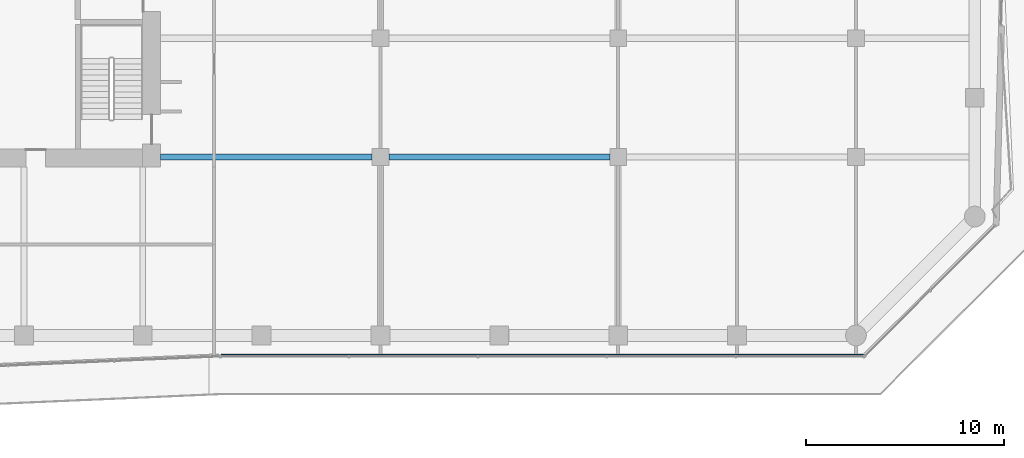
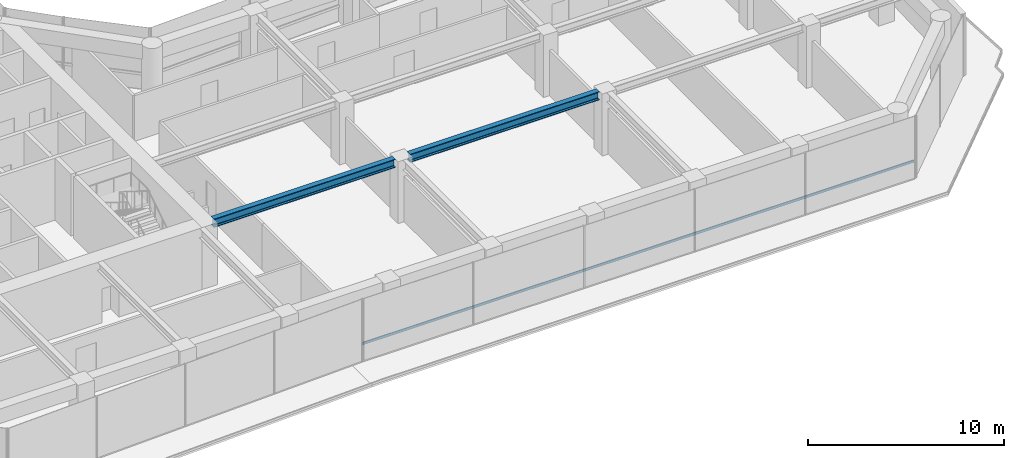
# One storey, part 9 of 29: 2 beams, 1 member, 1 element without a shape of its own.
"""IFC4 building model written with IfcOpenShell, lengths in metres."""

from ifc_helpers import new_model, si_unit, direction, frame, origin, origin_2d, place, context, subcontext, project, spatial, rectangle, i_section, extrude, material, layer, layer_set, material_profile, profile_set, type_object, element, aggregate, save


model = new_model("IFC4")

# Units and contexts
model_context = context("Model", 3, precision=1e-05, world=origin(), true_north=direction((0.0, 1.0)))
body_context = subcontext(model_context, "Body", "Model", "MODEL_VIEW")
ifc_project = project(units=[si_unit("LENGTHUNIT", "METRE"), si_unit("AREAUNIT", "SQUARE_METRE"), si_unit("VOLUMEUNIT", "CUBIC_METRE"), si_unit("PLANEANGLEUNIT", "RADIAN"), si_unit("MASSUNIT", "GRAM", prefix="KILO")], contexts=[model_context])

# Site, building, storey
site_placement = place(None, origin())
site = spatial("IfcSite", under=ifc_project, at=site_placement, CompositionType="ELEMENT")
building_placement = place(site_placement, origin())
building = spatial("IfcBuilding", under=site, at=building_placement, Name="Welwitschia Terrace Campus", CompositionType="ELEMENT")
storey_placement = place(building_placement, frame((0.0, 0.0, 62.60009765625)))
storey = spatial("IfcBuildingStorey", under=building, at=storey_placement, Name="L14", CompositionType="ELEMENT", Elevation=62.60009765625)

# Beams
ifc_material_1 = material(Name="Steel S355", Category="steel")
ifc_material_profile_1 = material_profile(ifc_material_1, i_section(OverallWidth=0.305908203125, OverallDepth=0.52392578125, WebThickness=0.02099609375, FlangeThickness=0.0400390625, FilletRadius=0.027099609375, at=origin_2d()))
ifc_profile_set_1 = profile_set([ifc_material_profile_1], Name="Steel S355")
beam_type = type_object("IfcBeamType", Name="Interior girder HE 500 M", PredefinedType="BEAM", material=ifc_profile_set_1)
beam_1_placement = place(storey_placement, frame((24.90087890625, 5.0, 3.587890625), z_axis=(1.0, 0.0, 0.0), x_axis=(0.0, 1.0, 0.0)))
element("IfcBeam", 1, at=beam_1_placement, inside=storey, type_object=beam_type, Name="Girder GB2", PredefinedType="BEAM", context=body_context, shape_type="SweptSolid", body=[
    extrude(i_section(OverallWidth=0.305908203125, OverallDepth=0.52392578125, WebThickness=0.02099609375, FlangeThickness=0.0400390625, FilletRadius=0.027099609375, at=origin_2d()), origin(), (0.0, 0.0, 1.0), 10.673583984375),
])
beam_2_placement = place(storey_placement, frame((36.425537109375, 5.0, 3.587890625), z_axis=(1.0, 0.0, 0.0), x_axis=(0.0, 1.0, 0.0)))
element("IfcBeam", 2, at=beam_2_placement, inside=storey, type_object=beam_type, Name="Girder GB2", PredefinedType="BEAM", context=body_context, shape_type="SweptSolid", body=[
    extrude(i_section(OverallWidth=0.305908203125, OverallDepth=0.52392578125, WebThickness=0.02099609375, FlangeThickness=0.0400390625, FilletRadius=0.027099609375, at=origin_2d()), origin(), (0.0, 0.0, 1.0), 11.14892578125),
])

# Curtain wall, member
ifc_material_2 = material(Name="Bronze anodised aluminium", Category="aluminium")
ifc_layer = layer(ifc_material_2, 0.1201171875)
ifc_layer_set = layer_set([ifc_layer], Name="Bronze anodised aluminium")
curtain_wall_type = type_object("IfcCurtainWallType", Name="Curtain wall CW2 tower 6000", PredefinedType="NOTDEFINED", material=ifc_layer_set)
curtain_wall_placement = place(storey_placement, origin())
curtain_wall = element("IfcCurtainWall", 3, at=curtain_wall_placement, inside=storey, type_object=curtain_wall_type, Name="CW L14.3.0", PredefinedType="NOTDEFINED")
ifc_material_3 = material(Name="Bronze anodised aluminium", Category="aluminium")
ifc_material_profile_2 = material_profile(ifc_material_3, rectangle(XDim=0.06005859375, YDim=0.14990234375, at=origin_2d()))
ifc_profile_set_2 = profile_set([ifc_material_profile_2], Name="Bronze anodised aluminium")
member_type = type_object("IfcMemberType", Name="Transom 60x150", PredefinedType="USERDEFINED", material=ifc_profile_set_2)
member_placement = place(storey_placement, frame((27.96875, -4.968017578125, 1.0), z_axis=(1.0, 0.0, 0.0), x_axis=(0.0, 1.0, 0.0)))
member = element("IfcMember", 4, at=member_placement, type_object=member_type, Name="Transom L14.3.0", ObjectType="TRANSOM", PredefinedType="USERDEFINED", context=body_context, shape_type="SweptSolid", body=[
    extrude(rectangle(XDim=0.06005859375, YDim=0.14990234375, at=origin_2d()), origin(), (0.0, 0.0, 1.0), 32.409423828125),
])
aggregate(curtain_wall, [member])

save(model, "model.ifc")
